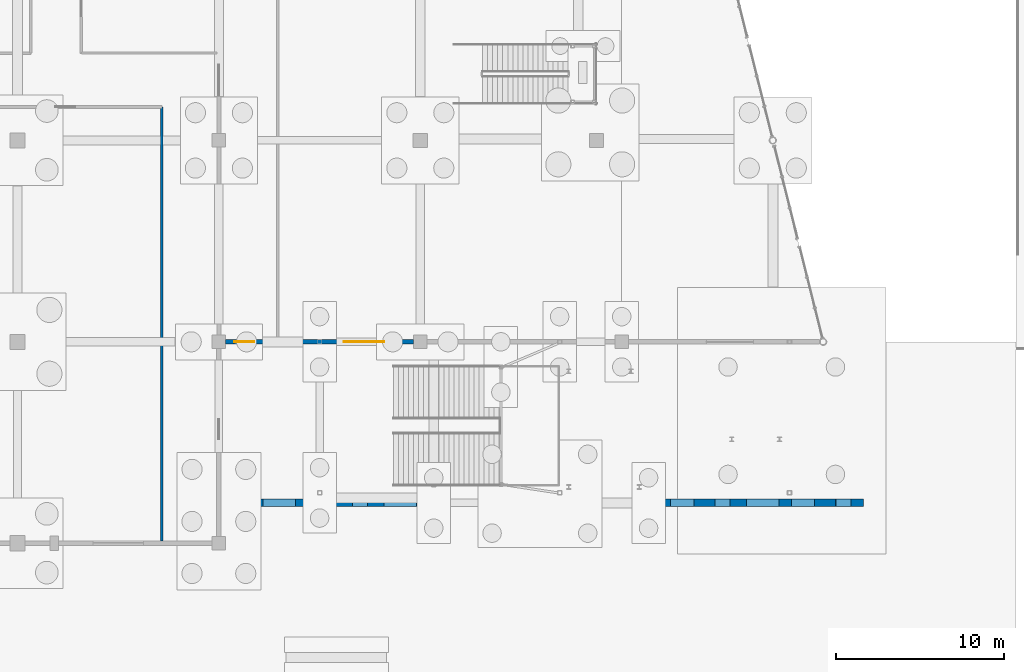
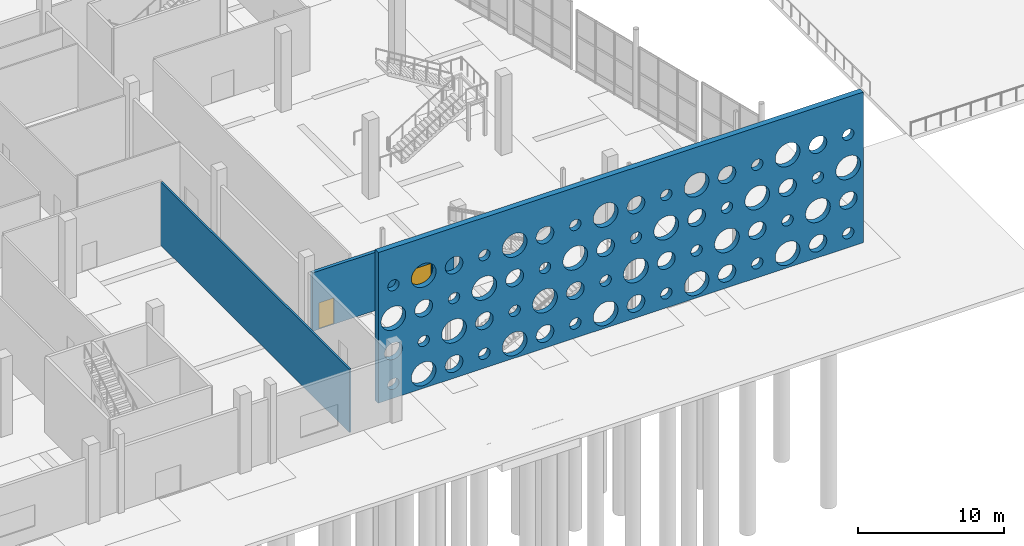
# One storey, part 89 of 117: 3 walls, 2 doors, 66 openings.
"""IFC4 building model written with IfcOpenShell, lengths in metres."""

from ifc_helpers import new_model, si_unit, direction, frame, frame_2d, origin, origin_2d, place, context, subcontext, project, spatial, rectangle, circle, extrude, material, layer, layer_set, type_object, element, fill, save


model = new_model("IFC4")

# Units and contexts
model_context = context("Model", 3, precision=1e-05, world=origin(), true_north=direction((0.0, 1.0)))
body_context = subcontext(model_context, "Body", "Model", "MODEL_VIEW")
ifc_project = project(units=[si_unit("LENGTHUNIT", "METRE"), si_unit("AREAUNIT", "SQUARE_METRE"), si_unit("VOLUMEUNIT", "CUBIC_METRE"), si_unit("PLANEANGLEUNIT", "RADIAN"), si_unit("MASSUNIT", "GRAM", prefix="KILO")], contexts=[model_context])

# Site, building, storey
site_placement = place(None, origin())
site = spatial("IfcSite", under=ifc_project, at=site_placement, CompositionType="ELEMENT")
building_placement = place(site_placement, origin())
building = spatial("IfcBuilding", under=site, at=building_placement, Name="Kamomehara Wholesale Market", CompositionType="ELEMENT")
storey_placement = place(building_placement, origin())
storey = spatial("IfcBuildingStorey", under=building, at=storey_placement, Name="L00", CompositionType="ELEMENT", Elevation=0.0)

# Wall, openings
ifc_material_1 = material(Name="Precast concrete Fc45 (C40/50) Architectural White", Category="concrete")
ifc_layer_1 = layer(ifc_material_1, 0.449951171875)
ifc_layer_set_1 = layer_set([ifc_layer_1], Name="Precast concrete Fc45 (C40/50) Architectural White")
wall_type_1 = type_object("IfcWallType", Name="EW-BLD-450", PredefinedType="SOLIDWALL", material=ifc_layer_set_1)
wall_1_placement = place(storey_placement, frame((206.39990234375, 14.39990234375, 0.0), z_axis=(0.0, 0.0, 1.0), x_axis=(-1.0, 0.0, 0.0)))
wall_1 = element("IfcWall", 1, at=wall_1_placement, inside=storey, type_object=wall_type_1, Name="Pierced architectural white precast blade wall", PredefinedType="SOLIDWALL", context=body_context, shape_type="SweptSolid", body=[
    extrude(rectangle(XDim=38.39990234375, YDim=0.449951171875, at=frame_2d((19.199951171875, 0.0))), origin(), (0.0, 0.0, 1.0), 12.60009765625),
])
opening_1_placement = place(wall_1_placement, frame((1.199951171875, 0.0, 1.199951171875)))
element("IfcOpeningElement", 2, at=opening_1_placement, cuts=wall_1, Name="Aperture VOID-BW-001", PredefinedType="OPENING", context=body_context, shape_type="SweptSolid", body=[
    extrude(circle(Radius=0.449951171875, at=origin_2d()), frame((0.0, 0.23974609375, 0.0), z_axis=(0.0, -1.0, 0.0), x_axis=(1.0, 0.0, 0.0)), (0.0, 0.0, 1.0), 0.479736328125),
])
opening_2_placement = place(wall_1_placement, frame((1.199951171875, 0.0, 3.949951171875)))
element("IfcOpeningElement", 3, at=opening_2_placement, cuts=wall_1, Name="Aperture VOID-BW-002", PredefinedType="OPENING", context=body_context, shape_type="SweptSolid", body=[
    extrude(circle(Radius=0.699951171875, at=origin_2d()), frame((0.0, 0.23974609375, 0.0), z_axis=(0.0, -1.0, 0.0), x_axis=(1.0, 0.0, 0.0)), (0.0, 0.0, 1.0), 0.479736328125),
])
opening_3_placement = place(wall_1_placement, frame((1.199951171875, 0.0, 6.699951171875)))
element("IfcOpeningElement", 4, at=opening_3_placement, cuts=wall_1, Name="Aperture VOID-BW-003", PredefinedType="OPENING", context=body_context, shape_type="SweptSolid", body=[
    extrude(circle(Radius=0.97509765625, at=origin_2d()), frame((0.0, 0.23974609375, 0.0), z_axis=(0.0, -1.0, 0.0), x_axis=(1.0, 0.0, 0.0)), (0.0, 0.0, 1.0), 0.479736328125),
])
opening_4_placement = place(wall_1_placement, frame((1.199951171875, 0.0, 9.449951171875)))
element("IfcOpeningElement", 5, at=opening_4_placement, cuts=wall_1, Name="Aperture VOID-BW-004", PredefinedType="OPENING", context=body_context, shape_type="SweptSolid", body=[
    extrude(circle(Radius=0.449951171875, at=origin_2d()), frame((0.0, 0.23974609375, 0.0), z_axis=(0.0, -1.0, 0.0), x_axis=(1.0, 0.0, 0.0)), (0.0, 0.0, 1.0), 0.479736328125),
])
opening_5_placement = place(wall_1_placement, frame((3.60009765625, 0.0, 1.199951171875)))
element("IfcOpeningElement", 6, at=opening_5_placement, cuts=wall_1, Name="Aperture VOID-BW-005", PredefinedType="OPENING", context=body_context, shape_type="SweptSolid", body=[
    extrude(circle(Radius=0.699951171875, at=origin_2d()), frame((0.0, 0.23974609375, 0.0), z_axis=(0.0, -1.0, 0.0), x_axis=(1.0, 0.0, 0.0)), (0.0, 0.0, 1.0), 0.479736328125),
])
opening_6_placement = place(wall_1_placement, frame((3.60009765625, 0.0, 3.949951171875)))
element("IfcOpeningElement", 7, at=opening_6_placement, cuts=wall_1, Name="Aperture VOID-BW-006", PredefinedType="OPENING", context=body_context, shape_type="SweptSolid", body=[
    extrude(circle(Radius=0.97509765625, at=origin_2d()), frame((0.0, 0.23974609375, 0.0), z_axis=(0.0, -1.0, 0.0), x_axis=(1.0, 0.0, 0.0)), (0.0, 0.0, 1.0), 0.479736328125),
])
opening_7_placement = place(wall_1_placement, frame((3.60009765625, 0.0, 6.699951171875)))
element("IfcOpeningElement", 8, at=opening_7_placement, cuts=wall_1, Name="Aperture VOID-BW-007", PredefinedType="OPENING", context=body_context, shape_type="SweptSolid", body=[
    extrude(circle(Radius=0.449951171875, at=origin_2d()), frame((0.0, 0.23974609375, 0.0), z_axis=(0.0, -1.0, 0.0), x_axis=(1.0, 0.0, 0.0)), (0.0, 0.0, 1.0), 0.479736328125),
])
opening_8_placement = place(wall_1_placement, frame((3.60009765625, 0.0, 9.449951171875)))
element("IfcOpeningElement", 9, at=opening_8_placement, cuts=wall_1, Name="Aperture VOID-BW-008", PredefinedType="OPENING", context=body_context, shape_type="SweptSolid", body=[
    extrude(circle(Radius=0.699951171875, at=origin_2d()), frame((0.0, 0.23974609375, 0.0), z_axis=(0.0, -1.0, 0.0), x_axis=(1.0, 0.0, 0.0)), (0.0, 0.0, 1.0), 0.479736328125),
])
opening_9_placement = place(wall_1_placement, frame((6.0, 0.0, 1.199951171875)))
element("IfcOpeningElement", 10, at=opening_9_placement, cuts=wall_1, Name="Aperture VOID-BW-009", PredefinedType="OPENING", context=body_context, shape_type="SweptSolid", body=[
    extrude(circle(Radius=0.97509765625, at=origin_2d()), frame((0.0, 0.23974609375, 0.0), z_axis=(0.0, -1.0, 0.0), x_axis=(1.0, 0.0, 0.0)), (0.0, 0.0, 1.0), 0.479736328125),
])
opening_10_placement = place(wall_1_placement, frame((6.0, 0.0, 3.949951171875)))
element("IfcOpeningElement", 11, at=opening_10_placement, cuts=wall_1, Name="Aperture VOID-BW-010", PredefinedType="OPENING", context=body_context, shape_type="SweptSolid", body=[
    extrude(circle(Radius=0.449951171875, at=origin_2d()), frame((0.0, 0.23974609375, 0.0), z_axis=(0.0, -1.0, 0.0), x_axis=(1.0, 0.0, 0.0)), (0.0, 0.0, 1.0), 0.479736328125),
])
opening_11_placement = place(wall_1_placement, frame((6.0, 0.0, 6.699951171875)))
element("IfcOpeningElement", 12, at=opening_11_placement, cuts=wall_1, Name="Aperture VOID-BW-011", PredefinedType="OPENING", context=body_context, shape_type="SweptSolid", body=[
    extrude(circle(Radius=0.699951171875, at=origin_2d()), frame((0.0, 0.23974609375, 0.0), z_axis=(0.0, -1.0, 0.0), x_axis=(1.0, 0.0, 0.0)), (0.0, 0.0, 1.0), 0.479736328125),
])
opening_12_placement = place(wall_1_placement, frame((6.0, 0.0, 9.449951171875)))
element("IfcOpeningElement", 13, at=opening_12_placement, cuts=wall_1, Name="Aperture VOID-BW-012", PredefinedType="OPENING", context=body_context, shape_type="SweptSolid", body=[
    extrude(circle(Radius=0.97509765625, at=origin_2d()), frame((0.0, 0.23974609375, 0.0), z_axis=(0.0, -1.0, 0.0), x_axis=(1.0, 0.0, 0.0)), (0.0, 0.0, 1.0), 0.479736328125),
])
opening_13_placement = place(wall_1_placement, frame((8.39990234375, 0.0, 1.199951171875)))
element("IfcOpeningElement", 14, at=opening_13_placement, cuts=wall_1, Name="Aperture VOID-BW-013", PredefinedType="OPENING", context=body_context, shape_type="SweptSolid", body=[
    extrude(circle(Radius=0.449951171875, at=origin_2d()), frame((0.0, 0.23974609375, 0.0), z_axis=(0.0, -1.0, 0.0), x_axis=(1.0, 0.0, 0.0)), (0.0, 0.0, 1.0), 0.479736328125),
])
opening_14_placement = place(wall_1_placement, frame((8.39990234375, 0.0, 3.949951171875)))
element("IfcOpeningElement", 15, at=opening_14_placement, cuts=wall_1, Name="Aperture VOID-BW-014", PredefinedType="OPENING", context=body_context, shape_type="SweptSolid", body=[
    extrude(circle(Radius=0.699951171875, at=origin_2d()), frame((0.0, 0.23974609375, 0.0), z_axis=(0.0, -1.0, 0.0), x_axis=(1.0, 0.0, 0.0)), (0.0, 0.0, 1.0), 0.479736328125),
])
opening_15_placement = place(wall_1_placement, frame((8.39990234375, 0.0, 6.699951171875)))
element("IfcOpeningElement", 16, at=opening_15_placement, cuts=wall_1, Name="Aperture VOID-BW-015", PredefinedType="OPENING", context=body_context, shape_type="SweptSolid", body=[
    extrude(circle(Radius=0.97509765625, at=origin_2d()), frame((0.0, 0.23974609375, 0.0), z_axis=(0.0, -1.0, 0.0), x_axis=(1.0, 0.0, 0.0)), (0.0, 0.0, 1.0), 0.479736328125),
])
opening_16_placement = place(wall_1_placement, frame((8.39990234375, 0.0, 9.449951171875)))
element("IfcOpeningElement", 17, at=opening_16_placement, cuts=wall_1, Name="Aperture VOID-BW-016", PredefinedType="OPENING", context=body_context, shape_type="SweptSolid", body=[
    extrude(circle(Radius=0.449951171875, at=origin_2d()), frame((0.0, 0.23974609375, 0.0), z_axis=(0.0, -1.0, 0.0), x_axis=(1.0, 0.0, 0.0)), (0.0, 0.0, 1.0), 0.479736328125),
])
opening_17_placement = place(wall_1_placement, frame((10.800048828125, 0.0, 1.199951171875)))
element("IfcOpeningElement", 18, at=opening_17_placement, cuts=wall_1, Name="Aperture VOID-BW-017", PredefinedType="OPENING", context=body_context, shape_type="SweptSolid", body=[
    extrude(circle(Radius=0.699951171875, at=origin_2d()), frame((0.0, 0.23974609375, 0.0), z_axis=(0.0, -1.0, 0.0), x_axis=(1.0, 0.0, 0.0)), (0.0, 0.0, 1.0), 0.479736328125),
])
opening_18_placement = place(wall_1_placement, frame((10.800048828125, 0.0, 3.949951171875)))
element("IfcOpeningElement", 19, at=opening_18_placement, cuts=wall_1, Name="Aperture VOID-BW-018", PredefinedType="OPENING", context=body_context, shape_type="SweptSolid", body=[
    extrude(circle(Radius=0.97509765625, at=origin_2d()), frame((0.0, 0.23974609375, 0.0), z_axis=(0.0, -1.0, 0.0), x_axis=(1.0, 0.0, 0.0)), (0.0, 0.0, 1.0), 0.479736328125),
])
opening_19_placement = place(wall_1_placement, frame((10.800048828125, 0.0, 6.699951171875)))
element("IfcOpeningElement", 20, at=opening_19_placement, cuts=wall_1, Name="Aperture VOID-BW-019", PredefinedType="OPENING", context=body_context, shape_type="SweptSolid", body=[
    extrude(circle(Radius=0.449951171875, at=origin_2d()), frame((0.0, 0.23974609375, 0.0), z_axis=(0.0, -1.0, 0.0), x_axis=(1.0, 0.0, 0.0)), (0.0, 0.0, 1.0), 0.479736328125),
])
opening_20_placement = place(wall_1_placement, frame((10.800048828125, 0.0, 9.449951171875)))
element("IfcOpeningElement", 21, at=opening_20_placement, cuts=wall_1, Name="Aperture VOID-BW-020", PredefinedType="OPENING", context=body_context, shape_type="SweptSolid", body=[
    extrude(circle(Radius=0.699951171875, at=origin_2d()), frame((0.0, 0.23974609375, 0.0), z_axis=(0.0, -1.0, 0.0), x_axis=(1.0, 0.0, 0.0)), (0.0, 0.0, 1.0), 0.479736328125),
])
opening_21_placement = place(wall_1_placement, frame((13.199951171875, 0.0, 1.199951171875)))
element("IfcOpeningElement", 22, at=opening_21_placement, cuts=wall_1, Name="Aperture VOID-BW-021", PredefinedType="OPENING", context=body_context, shape_type="SweptSolid", body=[
    extrude(circle(Radius=0.97509765625, at=origin_2d()), frame((0.0, 0.23974609375, 0.0), z_axis=(0.0, -1.0, 0.0), x_axis=(1.0, 0.0, 0.0)), (0.0, 0.0, 1.0), 0.479736328125),
])
opening_22_placement = place(wall_1_placement, frame((13.199951171875, 0.0, 3.949951171875)))
element("IfcOpeningElement", 23, at=opening_22_placement, cuts=wall_1, Name="Aperture VOID-BW-022", PredefinedType="OPENING", context=body_context, shape_type="SweptSolid", body=[
    extrude(circle(Radius=0.449951171875, at=origin_2d()), frame((0.0, 0.23974609375, 0.0), z_axis=(0.0, -1.0, 0.0), x_axis=(1.0, 0.0, 0.0)), (0.0, 0.0, 1.0), 0.479736328125),
])
opening_23_placement = place(wall_1_placement, frame((13.199951171875, 0.0, 6.699951171875)))
element("IfcOpeningElement", 24, at=opening_23_placement, cuts=wall_1, Name="Aperture VOID-BW-023", PredefinedType="OPENING", context=body_context, shape_type="SweptSolid", body=[
    extrude(circle(Radius=0.699951171875, at=origin_2d()), frame((0.0, 0.23974609375, 0.0), z_axis=(0.0, -1.0, 0.0), x_axis=(1.0, 0.0, 0.0)), (0.0, 0.0, 1.0), 0.479736328125),
])
opening_24_placement = place(wall_1_placement, frame((13.199951171875, 0.0, 9.449951171875)))
element("IfcOpeningElement", 25, at=opening_24_placement, cuts=wall_1, Name="Aperture VOID-BW-024", PredefinedType="OPENING", context=body_context, shape_type="SweptSolid", body=[
    extrude(circle(Radius=0.97509765625, at=origin_2d()), frame((0.0, 0.23974609375, 0.0), z_axis=(0.0, -1.0, 0.0), x_axis=(1.0, 0.0, 0.0)), (0.0, 0.0, 1.0), 0.479736328125),
])
opening_25_placement = place(wall_1_placement, frame((15.60009765625, 0.0, 1.199951171875)))
element("IfcOpeningElement", 26, at=opening_25_placement, cuts=wall_1, Name="Aperture VOID-BW-025", PredefinedType="OPENING", context=body_context, shape_type="SweptSolid", body=[
    extrude(circle(Radius=0.449951171875, at=origin_2d()), frame((0.0, 0.23974609375, 0.0), z_axis=(0.0, -1.0, 0.0), x_axis=(1.0, 0.0, 0.0)), (0.0, 0.0, 1.0), 0.479736328125),
])
opening_26_placement = place(wall_1_placement, frame((15.60009765625, 0.0, 3.949951171875)))
element("IfcOpeningElement", 27, at=opening_26_placement, cuts=wall_1, Name="Aperture VOID-BW-026", PredefinedType="OPENING", context=body_context, shape_type="SweptSolid", body=[
    extrude(circle(Radius=0.699951171875, at=origin_2d()), frame((0.0, 0.23974609375, 0.0), z_axis=(0.0, -1.0, 0.0), x_axis=(1.0, 0.0, 0.0)), (0.0, 0.0, 1.0), 0.479736328125),
])
opening_27_placement = place(wall_1_placement, frame((15.60009765625, 0.0, 6.699951171875)))
element("IfcOpeningElement", 28, at=opening_27_placement, cuts=wall_1, Name="Aperture VOID-BW-027", PredefinedType="OPENING", context=body_context, shape_type="SweptSolid", body=[
    extrude(circle(Radius=0.97509765625, at=origin_2d()), frame((0.0, 0.23974609375, 0.0), z_axis=(0.0, -1.0, 0.0), x_axis=(1.0, 0.0, 0.0)), (0.0, 0.0, 1.0), 0.479736328125),
])
opening_28_placement = place(wall_1_placement, frame((15.60009765625, 0.0, 9.449951171875)))
element("IfcOpeningElement", 29, at=opening_28_placement, cuts=wall_1, Name="Aperture VOID-BW-028", PredefinedType="OPENING", context=body_context, shape_type="SweptSolid", body=[
    extrude(circle(Radius=0.449951171875, at=origin_2d()), frame((0.0, 0.23974609375, 0.0), z_axis=(0.0, -1.0, 0.0), x_axis=(1.0, 0.0, 0.0)), (0.0, 0.0, 1.0), 0.479736328125),
])
opening_29_placement = place(wall_1_placement, frame((18.0, 0.0, 1.199951171875)))
element("IfcOpeningElement", 30, at=opening_29_placement, cuts=wall_1, Name="Aperture VOID-BW-029", PredefinedType="OPENING", context=body_context, shape_type="SweptSolid", body=[
    extrude(circle(Radius=0.699951171875, at=origin_2d()), frame((0.0, 0.23974609375, 0.0), z_axis=(0.0, -1.0, 0.0), x_axis=(1.0, 0.0, 0.0)), (0.0, 0.0, 1.0), 0.479736328125),
])
opening_30_placement = place(wall_1_placement, frame((18.0, 0.0, 3.949951171875)))
element("IfcOpeningElement", 31, at=opening_30_placement, cuts=wall_1, Name="Aperture VOID-BW-030", PredefinedType="OPENING", context=body_context, shape_type="SweptSolid", body=[
    extrude(circle(Radius=0.97509765625, at=origin_2d()), frame((0.0, 0.23974609375, 0.0), z_axis=(0.0, -1.0, 0.0), x_axis=(1.0, 0.0, 0.0)), (0.0, 0.0, 1.0), 0.479736328125),
])
opening_31_placement = place(wall_1_placement, frame((18.0, 0.0, 6.699951171875)))
element("IfcOpeningElement", 32, at=opening_31_placement, cuts=wall_1, Name="Aperture VOID-BW-031", PredefinedType="OPENING", context=body_context, shape_type="SweptSolid", body=[
    extrude(circle(Radius=0.449951171875, at=origin_2d()), frame((0.0, 0.23974609375, 0.0), z_axis=(0.0, -1.0, 0.0), x_axis=(1.0, 0.0, 0.0)), (0.0, 0.0, 1.0), 0.479736328125),
])
opening_32_placement = place(wall_1_placement, frame((18.0, 0.0, 9.449951171875)))
element("IfcOpeningElement", 33, at=opening_32_placement, cuts=wall_1, Name="Aperture VOID-BW-032", PredefinedType="OPENING", context=body_context, shape_type="SweptSolid", body=[
    extrude(circle(Radius=0.699951171875, at=origin_2d()), frame((0.0, 0.23974609375, 0.0), z_axis=(0.0, -1.0, 0.0), x_axis=(1.0, 0.0, 0.0)), (0.0, 0.0, 1.0), 0.479736328125),
])
opening_33_placement = place(wall_1_placement, frame((20.39990234375, 0.0, 1.199951171875)))
element("IfcOpeningElement", 34, at=opening_33_placement, cuts=wall_1, Name="Aperture VOID-BW-033", PredefinedType="OPENING", context=body_context, shape_type="SweptSolid", body=[
    extrude(circle(Radius=0.97509765625, at=origin_2d()), frame((0.0, 0.23974609375, 0.0), z_axis=(0.0, -1.0, 0.0), x_axis=(1.0, 0.0, 0.0)), (0.0, 0.0, 1.0), 0.479736328125),
])
opening_34_placement = place(wall_1_placement, frame((20.39990234375, 0.0, 3.949951171875)))
element("IfcOpeningElement", 35, at=opening_34_placement, cuts=wall_1, Name="Aperture VOID-BW-034", PredefinedType="OPENING", context=body_context, shape_type="SweptSolid", body=[
    extrude(circle(Radius=0.449951171875, at=origin_2d()), frame((0.0, 0.23974609375, 0.0), z_axis=(0.0, -1.0, 0.0), x_axis=(1.0, 0.0, 0.0)), (0.0, 0.0, 1.0), 0.479736328125),
])
opening_35_placement = place(wall_1_placement, frame((20.39990234375, 0.0, 6.699951171875)))
element("IfcOpeningElement", 36, at=opening_35_placement, cuts=wall_1, Name="Aperture VOID-BW-035", PredefinedType="OPENING", context=body_context, shape_type="SweptSolid", body=[
    extrude(circle(Radius=0.699951171875, at=origin_2d()), frame((0.0, 0.23974609375, 0.0), z_axis=(0.0, -1.0, 0.0), x_axis=(1.0, 0.0, 0.0)), (0.0, 0.0, 1.0), 0.479736328125),
])
opening_36_placement = place(wall_1_placement, frame((20.39990234375, 0.0, 9.449951171875)))
element("IfcOpeningElement", 37, at=opening_36_placement, cuts=wall_1, Name="Aperture VOID-BW-036", PredefinedType="OPENING", context=body_context, shape_type="SweptSolid", body=[
    extrude(circle(Radius=0.97509765625, at=origin_2d()), frame((0.0, 0.23974609375, 0.0), z_axis=(0.0, -1.0, 0.0), x_axis=(1.0, 0.0, 0.0)), (0.0, 0.0, 1.0), 0.479736328125),
])
opening_37_placement = place(wall_1_placement, frame((22.800048828125, 0.0, 1.199951171875)))
element("IfcOpeningElement", 38, at=opening_37_placement, cuts=wall_1, Name="Aperture VOID-BW-037", PredefinedType="OPENING", context=body_context, shape_type="SweptSolid", body=[
    extrude(circle(Radius=0.449951171875, at=origin_2d()), frame((0.0, 0.23974609375, 0.0), z_axis=(0.0, -1.0, 0.0), x_axis=(1.0, 0.0, 0.0)), (0.0, 0.0, 1.0), 0.479736328125),
])
opening_38_placement = place(wall_1_placement, frame((22.800048828125, 0.0, 3.949951171875)))
element("IfcOpeningElement", 39, at=opening_38_placement, cuts=wall_1, Name="Aperture VOID-BW-038", PredefinedType="OPENING", context=body_context, shape_type="SweptSolid", body=[
    extrude(circle(Radius=0.699951171875, at=origin_2d()), frame((0.0, 0.23974609375, 0.0), z_axis=(0.0, -1.0, 0.0), x_axis=(1.0, 0.0, 0.0)), (0.0, 0.0, 1.0), 0.479736328125),
])
opening_39_placement = place(wall_1_placement, frame((22.800048828125, 0.0, 6.699951171875)))
element("IfcOpeningElement", 40, at=opening_39_placement, cuts=wall_1, Name="Aperture VOID-BW-039", PredefinedType="OPENING", context=body_context, shape_type="SweptSolid", body=[
    extrude(circle(Radius=0.97509765625, at=origin_2d()), frame((0.0, 0.23974609375, 0.0), z_axis=(0.0, -1.0, 0.0), x_axis=(1.0, 0.0, 0.0)), (0.0, 0.0, 1.0), 0.479736328125),
])
opening_40_placement = place(wall_1_placement, frame((22.800048828125, 0.0, 9.449951171875)))
element("IfcOpeningElement", 41, at=opening_40_placement, cuts=wall_1, Name="Aperture VOID-BW-040", PredefinedType="OPENING", context=body_context, shape_type="SweptSolid", body=[
    extrude(circle(Radius=0.449951171875, at=origin_2d()), frame((0.0, 0.23974609375, 0.0), z_axis=(0.0, -1.0, 0.0), x_axis=(1.0, 0.0, 0.0)), (0.0, 0.0, 1.0), 0.479736328125),
])
opening_41_placement = place(wall_1_placement, frame((25.199951171875, 0.0, 1.199951171875)))
element("IfcOpeningElement", 42, at=opening_41_placement, cuts=wall_1, Name="Aperture VOID-BW-041", PredefinedType="OPENING", context=body_context, shape_type="SweptSolid", body=[
    extrude(circle(Radius=0.699951171875, at=origin_2d()), frame((0.0, 0.23974609375, 0.0), z_axis=(0.0, -1.0, 0.0), x_axis=(1.0, 0.0, 0.0)), (0.0, 0.0, 1.0), 0.479736328125),
])
opening_42_placement = place(wall_1_placement, frame((25.199951171875, 0.0, 3.949951171875)))
element("IfcOpeningElement", 43, at=opening_42_placement, cuts=wall_1, Name="Aperture VOID-BW-042", PredefinedType="OPENING", context=body_context, shape_type="SweptSolid", body=[
    extrude(circle(Radius=0.97509765625, at=origin_2d()), frame((0.0, 0.23974609375, 0.0), z_axis=(0.0, -1.0, 0.0), x_axis=(1.0, 0.0, 0.0)), (0.0, 0.0, 1.0), 0.479736328125),
])
opening_43_placement = place(wall_1_placement, frame((25.199951171875, 0.0, 6.699951171875)))
element("IfcOpeningElement", 44, at=opening_43_placement, cuts=wall_1, Name="Aperture VOID-BW-043", PredefinedType="OPENING", context=body_context, shape_type="SweptSolid", body=[
    extrude(circle(Radius=0.449951171875, at=origin_2d()), frame((0.0, 0.23974609375, 0.0), z_axis=(0.0, -1.0, 0.0), x_axis=(1.0, 0.0, 0.0)), (0.0, 0.0, 1.0), 0.479736328125),
])
opening_44_placement = place(wall_1_placement, frame((25.199951171875, 0.0, 9.449951171875)))
element("IfcOpeningElement", 45, at=opening_44_placement, cuts=wall_1, Name="Aperture VOID-BW-044", PredefinedType="OPENING", context=body_context, shape_type="SweptSolid", body=[
    extrude(circle(Radius=0.699951171875, at=origin_2d()), frame((0.0, 0.23974609375, 0.0), z_axis=(0.0, -1.0, 0.0), x_axis=(1.0, 0.0, 0.0)), (0.0, 0.0, 1.0), 0.479736328125),
])
opening_45_placement = place(wall_1_placement, frame((27.60009765625, 0.0, 1.199951171875)))
element("IfcOpeningElement", 46, at=opening_45_placement, cuts=wall_1, Name="Aperture VOID-BW-045", PredefinedType="OPENING", context=body_context, shape_type="SweptSolid", body=[
    extrude(circle(Radius=0.97509765625, at=origin_2d()), frame((0.0, 0.23974609375, 0.0), z_axis=(0.0, -1.0, 0.0), x_axis=(1.0, 0.0, 0.0)), (0.0, 0.0, 1.0), 0.479736328125),
])
opening_46_placement = place(wall_1_placement, frame((27.60009765625, 0.0, 3.949951171875)))
element("IfcOpeningElement", 47, at=opening_46_placement, cuts=wall_1, Name="Aperture VOID-BW-046", PredefinedType="OPENING", context=body_context, shape_type="SweptSolid", body=[
    extrude(circle(Radius=0.449951171875, at=origin_2d()), frame((0.0, 0.23974609375, 0.0), z_axis=(0.0, -1.0, 0.0), x_axis=(1.0, 0.0, 0.0)), (0.0, 0.0, 1.0), 0.479736328125),
])
opening_47_placement = place(wall_1_placement, frame((27.60009765625, 0.0, 6.699951171875)))
element("IfcOpeningElement", 48, at=opening_47_placement, cuts=wall_1, Name="Aperture VOID-BW-047", PredefinedType="OPENING", context=body_context, shape_type="SweptSolid", body=[
    extrude(circle(Radius=0.699951171875, at=origin_2d()), frame((0.0, 0.23974609375, 0.0), z_axis=(0.0, -1.0, 0.0), x_axis=(1.0, 0.0, 0.0)), (0.0, 0.0, 1.0), 0.479736328125),
])
opening_48_placement = place(wall_1_placement, frame((27.60009765625, 0.0, 9.449951171875)))
element("IfcOpeningElement", 49, at=opening_48_placement, cuts=wall_1, Name="Aperture VOID-BW-048", PredefinedType="OPENING", context=body_context, shape_type="SweptSolid", body=[
    extrude(circle(Radius=0.97509765625, at=origin_2d()), frame((0.0, 0.23974609375, 0.0), z_axis=(0.0, -1.0, 0.0), x_axis=(1.0, 0.0, 0.0)), (0.0, 0.0, 1.0), 0.479736328125),
])
opening_49_placement = place(wall_1_placement, frame((30.0, 0.0, 1.199951171875)))
element("IfcOpeningElement", 50, at=opening_49_placement, cuts=wall_1, Name="Aperture VOID-BW-049", PredefinedType="OPENING", context=body_context, shape_type="SweptSolid", body=[
    extrude(circle(Radius=0.449951171875, at=origin_2d()), frame((0.0, 0.23974609375, 0.0), z_axis=(0.0, -1.0, 0.0), x_axis=(1.0, 0.0, 0.0)), (0.0, 0.0, 1.0), 0.479736328125),
])
opening_50_placement = place(wall_1_placement, frame((30.0, 0.0, 3.949951171875)))
element("IfcOpeningElement", 51, at=opening_50_placement, cuts=wall_1, Name="Aperture VOID-BW-050", PredefinedType="OPENING", context=body_context, shape_type="SweptSolid", body=[
    extrude(circle(Radius=0.699951171875, at=origin_2d()), frame((0.0, 0.23974609375, 0.0), z_axis=(0.0, -1.0, 0.0), x_axis=(1.0, 0.0, 0.0)), (0.0, 0.0, 1.0), 0.479736328125),
])
opening_51_placement = place(wall_1_placement, frame((30.0, 0.0, 6.699951171875)))
element("IfcOpeningElement", 52, at=opening_51_placement, cuts=wall_1, Name="Aperture VOID-BW-051", PredefinedType="OPENING", context=body_context, shape_type="SweptSolid", body=[
    extrude(circle(Radius=0.97509765625, at=origin_2d()), frame((0.0, 0.23974609375, 0.0), z_axis=(0.0, -1.0, 0.0), x_axis=(1.0, 0.0, 0.0)), (0.0, 0.0, 1.0), 0.479736328125),
])
opening_52_placement = place(wall_1_placement, frame((30.0, 0.0, 9.449951171875)))
element("IfcOpeningElement", 53, at=opening_52_placement, cuts=wall_1, Name="Aperture VOID-BW-052", PredefinedType="OPENING", context=body_context, shape_type="SweptSolid", body=[
    extrude(circle(Radius=0.449951171875, at=origin_2d()), frame((0.0, 0.23974609375, 0.0), z_axis=(0.0, -1.0, 0.0), x_axis=(1.0, 0.0, 0.0)), (0.0, 0.0, 1.0), 0.479736328125),
])
opening_53_placement = place(wall_1_placement, frame((32.39990234375, 0.0, 1.199951171875)))
element("IfcOpeningElement", 54, at=opening_53_placement, cuts=wall_1, Name="Aperture VOID-BW-053", PredefinedType="OPENING", context=body_context, shape_type="SweptSolid", body=[
    extrude(circle(Radius=0.699951171875, at=origin_2d()), frame((0.0, 0.23974609375, 0.0), z_axis=(0.0, -1.0, 0.0), x_axis=(1.0, 0.0, 0.0)), (0.0, 0.0, 1.0), 0.479736328125),
])
opening_54_placement = place(wall_1_placement, frame((32.39990234375, 0.0, 3.949951171875)))
element("IfcOpeningElement", 55, at=opening_54_placement, cuts=wall_1, Name="Aperture VOID-BW-054", PredefinedType="OPENING", context=body_context, shape_type="SweptSolid", body=[
    extrude(circle(Radius=0.97509765625, at=origin_2d()), frame((0.0, 0.23974609375, 0.0), z_axis=(0.0, -1.0, 0.0), x_axis=(1.0, 0.0, 0.0)), (0.0, 0.0, 1.0), 0.479736328125),
])
opening_55_placement = place(wall_1_placement, frame((32.39990234375, 0.0, 6.699951171875)))
element("IfcOpeningElement", 56, at=opening_55_placement, cuts=wall_1, Name="Aperture VOID-BW-055", PredefinedType="OPENING", context=body_context, shape_type="SweptSolid", body=[
    extrude(circle(Radius=0.449951171875, at=origin_2d()), frame((0.0, 0.23974609375, 0.0), z_axis=(0.0, -1.0, 0.0), x_axis=(1.0, 0.0, 0.0)), (0.0, 0.0, 1.0), 0.479736328125),
])
opening_56_placement = place(wall_1_placement, frame((32.39990234375, 0.0, 9.449951171875)))
element("IfcOpeningElement", 57, at=opening_56_placement, cuts=wall_1, Name="Aperture VOID-BW-056", PredefinedType="OPENING", context=body_context, shape_type="SweptSolid", body=[
    extrude(circle(Radius=0.699951171875, at=origin_2d()), frame((0.0, 0.23974609375, 0.0), z_axis=(0.0, -1.0, 0.0), x_axis=(1.0, 0.0, 0.0)), (0.0, 0.0, 1.0), 0.479736328125),
])
opening_57_placement = place(wall_1_placement, frame((34.800048828125, 0.0, 1.199951171875)))
element("IfcOpeningElement", 58, at=opening_57_placement, cuts=wall_1, Name="Aperture VOID-BW-057", PredefinedType="OPENING", context=body_context, shape_type="SweptSolid", body=[
    extrude(circle(Radius=0.97509765625, at=origin_2d()), frame((0.0, 0.23974609375, 0.0), z_axis=(0.0, -1.0, 0.0), x_axis=(1.0, 0.0, 0.0)), (0.0, 0.0, 1.0), 0.479736328125),
])
opening_58_placement = place(wall_1_placement, frame((34.800048828125, 0.0, 3.949951171875)))
element("IfcOpeningElement", 59, at=opening_58_placement, cuts=wall_1, Name="Aperture VOID-BW-058", PredefinedType="OPENING", context=body_context, shape_type="SweptSolid", body=[
    extrude(circle(Radius=0.449951171875, at=origin_2d()), frame((0.0, 0.23974609375, 0.0), z_axis=(0.0, -1.0, 0.0), x_axis=(1.0, 0.0, 0.0)), (0.0, 0.0, 1.0), 0.479736328125),
])
opening_59_placement = place(wall_1_placement, frame((34.800048828125, 0.0, 6.699951171875)))
element("IfcOpeningElement", 60, at=opening_59_placement, cuts=wall_1, Name="Aperture VOID-BW-059", PredefinedType="OPENING", context=body_context, shape_type="SweptSolid", body=[
    extrude(circle(Radius=0.699951171875, at=origin_2d()), frame((0.0, 0.23974609375, 0.0), z_axis=(0.0, -1.0, 0.0), x_axis=(1.0, 0.0, 0.0)), (0.0, 0.0, 1.0), 0.479736328125),
])
opening_60_placement = place(wall_1_placement, frame((34.800048828125, 0.0, 9.449951171875)))
element("IfcOpeningElement", 61, at=opening_60_placement, cuts=wall_1, Name="Aperture VOID-BW-060", PredefinedType="OPENING", context=body_context, shape_type="SweptSolid", body=[
    extrude(circle(Radius=0.97509765625, at=origin_2d()), frame((0.0, 0.23974609375, 0.0), z_axis=(0.0, -1.0, 0.0), x_axis=(1.0, 0.0, 0.0)), (0.0, 0.0, 1.0), 0.479736328125),
])
opening_61_placement = place(wall_1_placement, frame((37.199951171875, 0.0, 1.199951171875)))
element("IfcOpeningElement", 62, at=opening_61_placement, cuts=wall_1, Name="Aperture VOID-BW-061", PredefinedType="OPENING", context=body_context, shape_type="SweptSolid", body=[
    extrude(circle(Radius=0.449951171875, at=origin_2d()), frame((0.0, 0.23974609375, 0.0), z_axis=(0.0, -1.0, 0.0), x_axis=(1.0, 0.0, 0.0)), (0.0, 0.0, 1.0), 0.479736328125),
])
opening_62_placement = place(wall_1_placement, frame((37.199951171875, 0.0, 3.949951171875)))
element("IfcOpeningElement", 63, at=opening_62_placement, cuts=wall_1, Name="Aperture VOID-BW-062", PredefinedType="OPENING", context=body_context, shape_type="SweptSolid", body=[
    extrude(circle(Radius=0.699951171875, at=origin_2d()), frame((0.0, 0.23974609375, 0.0), z_axis=(0.0, -1.0, 0.0), x_axis=(1.0, 0.0, 0.0)), (0.0, 0.0, 1.0), 0.479736328125),
])
opening_63_placement = place(wall_1_placement, frame((37.199951171875, 0.0, 6.699951171875)))
element("IfcOpeningElement", 64, at=opening_63_placement, cuts=wall_1, Name="Aperture VOID-BW-063", PredefinedType="OPENING", context=body_context, shape_type="SweptSolid", body=[
    extrude(circle(Radius=0.97509765625, at=origin_2d()), frame((0.0, 0.23974609375, 0.0), z_axis=(0.0, -1.0, 0.0), x_axis=(1.0, 0.0, 0.0)), (0.0, 0.0, 1.0), 0.479736328125),
])
opening_64_placement = place(wall_1_placement, frame((37.199951171875, 0.0, 9.449951171875)))
element("IfcOpeningElement", 65, at=opening_64_placement, cuts=wall_1, Name="Aperture VOID-BW-064", PredefinedType="OPENING", context=body_context, shape_type="SweptSolid", body=[
    extrude(circle(Radius=0.449951171875, at=origin_2d()), frame((0.0, 0.23974609375, 0.0), z_axis=(0.0, -1.0, 0.0), x_axis=(1.0, 0.0, 0.0)), (0.0, 0.0, 1.0), 0.479736328125),
])

# Wall, openings, doors
ifc_material_2 = material(Name="Precast concrete Fc45 (C40/50)", Category="concrete")
ifc_layer_2 = layer(ifc_material_2, 0.260009765625)
ifc_layer_set_2 = layer_set([ifc_layer_2], Name="Precast concrete Fc45 (C40/50)")
wall_type_2 = type_object("IfcWallType", Name="EW-PC-260", PredefinedType="SOLIDWALL", material=ifc_layer_set_2)
wall_2_placement = place(storey_placement, frame((179.60009765625, 24.0, 0.0), z_axis=(0.0, 0.0, 1.0), x_axis=(-1.0, 0.0, 0.0)))
wall_2 = element("IfcWall", 66, at=wall_2_placement, inside=storey, type_object=wall_type_2, Name="Exterior wall EW-PC-260 128", PredefinedType="SOLIDWALL", context=body_context, shape_type="SweptSolid", body=[
    extrude(rectangle(XDim=11.2001953125, YDim=0.260009765625, at=frame_2d((5.60009765625, 0.0))), origin(), (0.0, 0.0, 1.0), 4.8779296875),
])
opening_65_placement = place(wall_2_placement, frame((1.75, 0.0, 0.0)))
opening_65 = element("IfcOpeningElement", 67, at=opening_65_placement, cuts=wall_2, Name="Opening ED-L00-V2S", PredefinedType="OPENING", context=body_context, shape_type="SweptSolid", body=[
    extrude(rectangle(XDim=2.39990234375, YDim=2.39990234375, at=frame_2d((1.199951171875, 1.199951171875))), frame((0.0, 0.14501953125, 0.0), z_axis=(0.0, -1.0, 0.0), x_axis=(1.0, 0.0, 0.0)), (0.0, 0.0, 1.0), 0.289794921875),
])
opening_66_placement = place(wall_2_placement, frame((9.5, 0.0, 0.0)))
opening_66 = element("IfcOpeningElement", 68, at=opening_66_placement, cuts=wall_2, Name="Opening ED-L00-V2E", PredefinedType="OPENING", context=body_context, shape_type="SweptSolid", body=[
    extrude(rectangle(XDim=1.199951171875, YDim=2.199951171875, at=frame_2d((0.60009765625, 1.10009765625))), frame((0.0, 0.14501953125, 0.0), z_axis=(0.0, -1.0, 0.0), x_axis=(1.0, 0.0, 0.0)), (0.0, 0.0, 1.0), 0.289794921875),
])
ifc_material_3 = material(Name="Steel SN400B", Category="steel")
door_type_1 = type_object("IfcDoorType", Name="EDR-1200x2200", OperationType="NOTDEFINED", PredefinedType="DOOR", material=ifc_material_3)
door_1_placement = place(opening_66_placement, origin())
door_1 = element("IfcDoor", 69, at=door_1_placement, inside=storey, type_object=door_type_1, Name="Auction corridor final exit door ED-L00-V2E", OperationType="SINGLE_SWING_RIGHT", OverallHeight=2.199951171875, OverallWidth=1.199951171875, PredefinedType="DOOR", context=body_context, shape_type="SweptSolid", body=[
    extrude(rectangle(XDim=1.199951171875, YDim=2.199951171875, at=frame_2d((0.60009765625, 1.10009765625))), frame((0.0, 0.02490234375, 0.0), z_axis=(0.0, -1.0, 0.0), x_axis=(1.0, 0.0, 0.0)), (0.0, 0.0, 1.0), 0.050048828125),
])
fill(opening_66, door_1)
ifc_material_4 = material(Name="Anodised aluminium 6063-T5", Category="aluminium")
door_type_2 = type_object("IfcDoorType", Name="EDR-2400x2400", OperationType="NOTDEFINED", PredefinedType="DOOR", material=ifc_material_4)
door_2_placement = place(opening_65_placement, origin())
door_2 = element("IfcDoor", 70, at=door_2_placement, inside=storey, type_object=door_type_2, Name="Auction forecourt main entrance ED-L00-V2S", OperationType="SINGLE_SWING_RIGHT", OverallHeight=2.39990234375, OverallWidth=2.39990234375, PredefinedType="DOOR", context=body_context, shape_type="SweptSolid", body=[
    extrude(rectangle(XDim=2.39990234375, YDim=2.39990234375, at=frame_2d((1.199951171875, 1.199951171875))), frame((0.0, 0.02490234375, 0.0), z_axis=(0.0, -1.0, 0.0), x_axis=(1.0, 0.0, 0.0)), (0.0, 0.0, 1.0), 0.050048828125),
])
fill(opening_65, door_2)

# Wall
ifc_material_5 = material(Name="Gypsum board partition")
ifc_layer_3 = layer(ifc_material_5, 0.14990234375)
ifc_layer_set_3 = layer_set([ifc_layer_3], Name="Gypsum board partition")
wall_type_3 = type_object("IfcWallType", Name="IW-PRT-150", PredefinedType="PARTITIONING", material=ifc_layer_set_3)
wall_3_placement = place(storey_placement, frame((164.60009765625, 12.1298828125, 0.0), z_axis=(0.0, 0.0, 1.0), x_axis=(0.0, 1.0, 0.0)))
element("IfcWall", 71, at=wall_3_placement, inside=storey, type_object=wall_type_3, Name="Interior wall IW-PRT-150 254", PredefinedType="PARTITIONING", context=body_context, shape_type="SweptSolid", body=[
    extrude(rectangle(XDim=25.8701171875, YDim=0.14990234375, at=frame_2d((12.93505859375, 0.0))), origin(), (0.0, 0.0, 1.0), 5.29296875),
])

save(model, "model.ifc")
